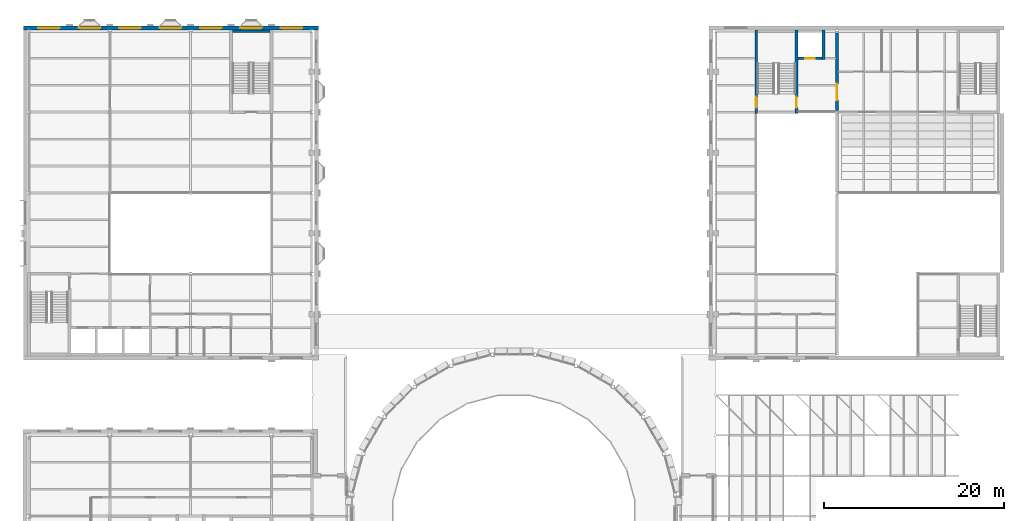
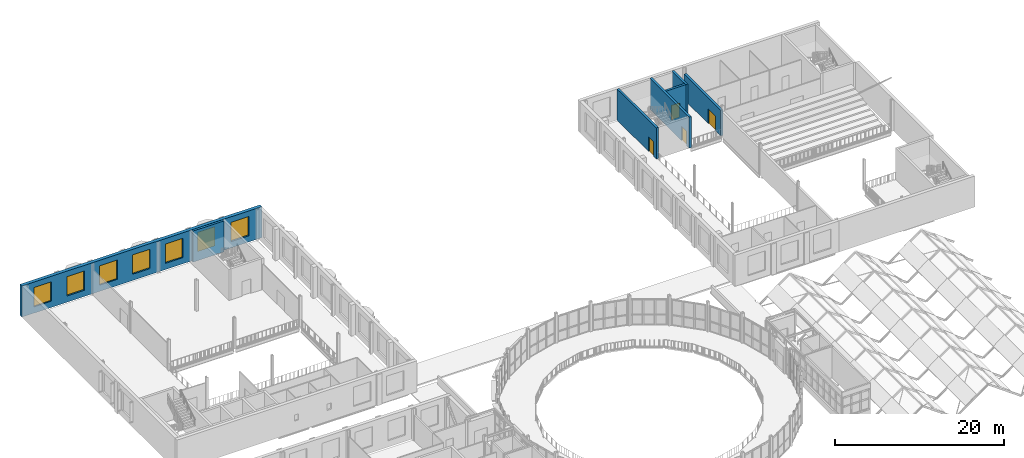
# One storey, part 46 of 74: 7 walls, 7 windows, 4 doors, 11 openings.
"""IFC4 building model written with IfcOpenShell, lengths in metres."""

import ifcopenshell
import ifcopenshell.guid

model = None  # the IFC model being written
_history = None  # IfcOwnerHistory: only IFC2X3 demands one
_inside = {}  # id of a spatial element -> (the spatial element, [elements in it])
_under = {}  # id of a project, library or spatial element -> (it, [spatial elements below it])
_declared = {}  # id of a project -> (the project, [libraries it declares])
_typed = {}  # id of a type object -> (the type object, [elements of that type])
_made_of = {}  # id of a material, layer set ... -> (it, [elements and type objects made of it])


def new_model(schema):
    """Start an empty IFC model of exactly this schema.

    Asked for "IFC4X3", IfcOpenShell would pick the latest addendum, in which some entities
    have other attributes; the version numbers below select the first issue.
    IFC2X3 requires an IfcOwnerHistory on every rooted entity: one is made here for all.
    """
    global model, _history
    if schema == "IFC4X3":
        model = ifcopenshell.file(schema_version=(4, 3, 0, 0))
    else:
        model = ifcopenshell.file(schema=schema)
    _inside.clear()
    _under.clear()
    _declared.clear()
    _typed.clear()
    _made_of.clear()
    _history = None
    if model.schema == "IFC2X3":
        org = make("IfcOrganization", Name="unknown")
        user = make(
            "IfcPersonAndOrganization",
            ThePerson=make("IfcPerson", FamilyName="unknown"),
            TheOrganization=org,
        )
        app = make(
            "IfcApplication",
            ApplicationDeveloper=org,
            Version="unknown",
            ApplicationFullName="unknown",
            ApplicationIdentifier="unknown",
        )
        _history = make(
            "IfcOwnerHistory",
            OwningUser=user,
            OwningApplication=app,
            ChangeAction="ADDED",
            CreationDate=0,
        )
    return model


def make(cls, **values):
    """One entity of the class cls with the attributes given. An attribute that is None is left unset."""
    return model.create_entity(
        cls, **{name: value for name, value in values.items() if value is not None}
    )


def rooted(cls, **values):
    """An entity with a GlobalId (a new one), such as an element, a storey or a relation."""
    return make(cls, GlobalId=ifcopenshell.guid.new(), OwnerHistory=_history, **values)


def si_unit(unit_type, name, prefix=None):
    """IfcSIUnit, for example si_unit("LENGTHUNIT", "METRE", prefix="MILLI")."""
    return make("IfcSIUnit", UnitType=unit_type, Prefix=prefix, Name=name)


def assignment(units):
    """IfcUnitAssignment: the units of a project."""
    return None if units is None else make("IfcUnitAssignment", Units=units)


def point(xyz):
    """IfcCartesianPoint."""
    return None if xyz is None else make("IfcCartesianPoint", Coordinates=xyz)


def direction(xyz):
    """IfcDirection."""
    return None if xyz is None else make("IfcDirection", DirectionRatios=xyz)


def frame(location, z_axis=None, x_axis=None):
    """IfcAxis2Placement3D, a coordinate frame: its origin and axes. An axis left out is left unset."""
    return make(
        "IfcAxis2Placement3D",
        Location=point(location),
        Axis=direction(z_axis),
        RefDirection=direction(x_axis),
    )


def frame_2d(location, x_axis=None):
    """IfcAxis2Placement2D, a coordinate frame in the plane: its origin and x axis."""
    return make(
        "IfcAxis2Placement2D", Location=point(location), RefDirection=direction(x_axis)
    )


def origin():
    """The frame at (0, 0, 0) with its axes left unset."""
    return frame((0.0, 0.0, 0.0))


def place(relative_to, where):
    """IfcLocalPlacement: puts the frame where relative to a parent placement (None: the world)."""
    return make(
        "IfcLocalPlacement", PlacementRelTo=relative_to, RelativePlacement=where
    )


def context(
    kind, dimensions, precision=None, world=None, true_north=None, identifier=None
):
    """IfcGeometricRepresentationContext, for example the 3D "Model" context."""
    return make(
        "IfcGeometricRepresentationContext",
        ContextIdentifier=identifier,
        ContextType=kind,
        CoordinateSpaceDimension=dimensions,
        Precision=precision,
        WorldCoordinateSystem=world,
        TrueNorth=true_north,
    )


def subcontext(parent, identifier, kind, view, scale=None):
    """IfcGeometricRepresentationSubContext, for example "Body" below "Model"."""
    return make(
        "IfcGeometricRepresentationSubContext",
        ContextIdentifier=identifier,
        ContextType=kind,
        ParentContext=parent,
        TargetScale=scale,
        TargetView=view,
    )


def project(units=None, contexts=None):
    """IfcProject with its units and contexts."""
    return rooted(
        "IfcProject",
        Name="project",
        RepresentationContexts=contexts,
        UnitsInContext=assignment(units),
    )


def spatial(cls, under=None, at=None, **own):
    """A site, building, storey or space (cls), placed at a placement, below another one or the project."""
    s = rooted(cls, ObjectPlacement=at, **own)
    if under is not None:
        _under.setdefault(under.id(), (under, []))[1].append(s)
    return s


def profile(cls, at=None, kind="AREA", **sizes):
    """A parametric profile (cls). Its sizes go by their IFC names, for example OverallWidth=200.0."""
    return make(cls, ProfileType=kind, Position=at, **sizes)


def rectangle(**sizes):
    """IfcRectangleProfileDef."""
    return profile("IfcRectangleProfileDef", **sizes)


def extrude(swept, where, along, depth):
    """IfcExtrudedAreaSolid: the profile swept, set in the frame where, extruded along a direction by depth."""
    return make(
        "IfcExtrudedAreaSolid",
        SweptArea=swept,
        Position=where,
        ExtrudedDirection=direction(along),
        Depth=depth,
    )


def shape(context_of_items, identifier, shape_type, items):
    """IfcShapeRepresentation: the items that make up one representation, for example the "Body"."""
    return make(
        "IfcShapeRepresentation",
        ContextOfItems=context_of_items,
        RepresentationIdentifier=identifier,
        RepresentationType=shape_type,
        Items=items,
    )


def material(Name=None, Category=None):
    """IfcMaterial."""
    return make("IfcMaterial", Name=Name, Category=Category)


def layer(
    of_material, thickness, ventilated=None, Name=None, Category=None, Priority=None
):
    """IfcMaterialLayer: one layer of a wall or slab, of a material (None: an air gap)."""
    return make(
        "IfcMaterialLayer",
        Material=of_material,
        LayerThickness=thickness,
        IsVentilated=ventilated,
        Name=Name,
        Category=Category,
        Priority=Priority,
    )


def layer_set(layers, Name=None):
    """IfcMaterialLayerSet."""
    return make("IfcMaterialLayerSet", MaterialLayers=layers, LayerSetName=Name)


def made_of(thing, what):
    """Note that an element or type object is made of a material, layer set ...; save() writes the relation."""
    if what is not None:
        _made_of.setdefault(what.id(), (what, []))[1].append(thing)
    return thing


def type_object(cls, material=None, **own):
    """A type object (cls), such as IfcWallType, which elements share."""
    return made_of(rooted(cls, **own), material)


def element(
    cls,
    number,
    at=None,
    inside=None,
    cuts=None,
    type_object=None,
    material=None,
    context=None,
    identifier="Body",
    shape_type=None,
    held_by="IfcProductDefinitionShape",
    body=None,
    shapes=None,
    **own,
):
    """One element of the class cls, such as IfcWall. Its Tag is "e" and its number.

    at: its placement. inside: the storey or other place that contains it. cuts: it is an
    opening in that element (IfcRelVoidsElement). A single representation is given by context,
    identifier, shape_type and body (its items); several are given by shapes. held_by: the class
    of the entity that holds the representations. save() writes the other relations.
    """
    e = rooted(cls, Tag="e%d" % number, ObjectPlacement=at, **own)
    if body is not None:
        shapes = [shape(context, identifier, shape_type, body)]
    if shapes is not None:
        e.Representation = make(held_by, Representations=shapes)
    if inside is not None:
        _inside.setdefault(inside.id(), (inside, []))[1].append(e)
    if cuts is not None:
        rooted(
            "IfcRelVoidsElement", RelatingBuildingElement=cuts, RelatedOpeningElement=e
        )
    if type_object is not None:
        _typed.setdefault(type_object.id(), (type_object, []))[1].append(e)
    return made_of(e, material)


def fill(opening, filler):
    """IfcRelFillsElement: the door or window that sits in an opening."""
    return rooted(
        "IfcRelFillsElement",
        RelatingOpeningElement=opening,
        RelatedBuildingElement=filler,
    )


def aggregate(whole, parts):
    """IfcRelAggregates: a whole, such as a stair, and the parts it consists of."""
    return rooted("IfcRelAggregates", RelatingObject=whole, RelatedObjects=parts)


def save(model, path):
    """Write the relations noted so far, then the file.

    IfcRelAggregates (storeys below a building ...), IfcRelContainedInSpatialStructure (elements
    in a storey), IfcRelDefinesByType, IfcRelAssociatesMaterial and IfcRelDeclares: one each for
    every whole, place, type object, material and project.
    """
    for whole, parts in _under.values():
        aggregate(whole, parts)
    for where, things in _inside.values():
        rooted(
            "IfcRelContainedInSpatialStructure",
            RelatedElements=things,
            RelatingStructure=where,
        )
    for kind, things in _typed.values():
        rooted("IfcRelDefinesByType", RelatedObjects=things, RelatingType=kind)
    for what, things in _made_of.values():
        rooted("IfcRelAssociatesMaterial", RelatedObjects=things, RelatingMaterial=what)
    for by, libraries in _declared.values():
        rooted("IfcRelDeclares", RelatingContext=by, RelatedDefinitions=libraries)
    model.write(path)


model = new_model("IFC4")

# Units and contexts
model_context = context("Model", 3, precision=1e-05, world=origin(), true_north=direction((0.0, 1.0)))
body_context = subcontext(model_context, "Body", "Model", "MODEL_VIEW")
ifc_project = project(units=[si_unit("LENGTHUNIT", "METRE"), si_unit("AREAUNIT", "SQUARE_METRE"), si_unit("VOLUMEUNIT", "CUBIC_METRE"), si_unit("PLANEANGLEUNIT", "RADIAN"), si_unit("MASSUNIT", "GRAM", prefix="KILO")], contexts=[model_context])

# Site, building, storey
site_placement = place(None, origin())
site = spatial("IfcSite", under=ifc_project, at=site_placement, CompositionType="ELEMENT")
building_placement = place(site_placement, origin())
building = spatial("IfcBuilding", under=site, at=building_placement, Name="Hortulan Conservatory and Botanical Research Centre", CompositionType="ELEMENT")
storey_placement = place(building_placement, frame((0.0, 0.0, 6.0)))
storey = spatial("IfcBuildingStorey", under=building, at=storey_placement, Name="L01", CompositionType="ELEMENT", Elevation=6.0)

# Wall, opening, door
ifc_material_1 = material(Name="Brick masonry with acoustic lining", Category="masonry")
ifc_layer_1 = layer(ifc_material_1, 0.300048828125)
ifc_layer_set_1 = layer_set([ifc_layer_1], Name="Acoustic Hall Wall 300")
wall_type_1 = type_object("IfcWallType", Name="Acoustic Hall Wall 300", PredefinedType="STANDARD", material=ifc_layer_set_1)
wall_1_placement = place(storey_placement, frame((90.0, 63.17041015625, 0.0), z_axis=(0.0, 0.0, 1.0), x_axis=(0.0, 1.0, 0.0)))
wall_1 = element("IfcWall", 1, at=wall_1_placement, inside=storey, type_object=wall_type_1, Name="Auditorium hall wall L01 122", PredefinedType="STANDARD", context=body_context, shape_type="SweptSolid", body=[
    extrude(rectangle(XDim=8.6591796875, YDim=0.300048828125, at=frame_2d((4.32958984375, 0.0))), origin(), (0.0, 0.0, 1.0), 3.718017578125),
])
opening_1_placement = place(wall_1_placement, frame((1.179443359375, 0.0, 0.0)))
opening_1 = element("IfcOpeningElement", 2, at=opening_1_placement, cuts=wall_1, Name="Opening DT8", PredefinedType="OPENING", context=body_context, shape_type="SweptSolid", body=[
    extrude(rectangle(XDim=1.800048828125, YDim=2.10009765625, at=frame_2d((0.89990234375, 1.050048828125))), frame((0.0, 0.159912109375, 0.0), z_axis=(0.0, -1.0, 0.0), x_axis=(1.0, 0.0, 0.0)), (0.0, 0.0, 1.0), 0.320068359375),
])
ifc_material_2 = material(Name="Steel door leaf, insulated", Category="steel")
door_type_1 = type_object("IfcDoorType", Name="Lobby Double Door 1800x2100 FRL -/60/30", OperationType="DOUBLE_DOOR_SINGLE_SWING", PredefinedType="DOOR", material=ifc_material_2)
door_1_placement = place(opening_1_placement, origin())
door_1 = element("IfcDoor", 3, at=door_1_placement, inside=storey, type_object=door_type_1, Name="Door DT8 Circle Rear Lobby to Foyer Gallery Lobby", OperationType="DOUBLE_DOOR_SINGLE_SWING", OverallHeight=2.10009765625, OverallWidth=1.800048828125, PredefinedType="DOOR", context=body_context, shape_type="SweptSolid", body=[
    extrude(rectangle(XDim=1.800048828125, YDim=2.10009765625, at=frame_2d((0.89990234375, 1.050048828125))), frame((0.0, 0.02490234375, 0.0), z_axis=(0.0, -1.0, 0.0), x_axis=(1.0, 0.0, 0.0)), (0.0, 0.0, 1.0), 0.050048828125),
])
fill(opening_1, door_1)

ifc_material_3 = material(Name="Concrete N40 (40 MPa, AS 3600)", Category="concrete")
ifc_layer_2 = layer(ifc_material_3, 0.300048828125)
ifc_layer_set_2 = layer_set([ifc_layer_2], Name="Core Wall 300 N40 FRL 120/120/120")
wall_type_2 = type_object("IfcWallType", Name="Core Wall 300 N40 FRL 120/120/120", PredefinedType="SHEAR", material=ifc_layer_set_2)
wall_2_placement = place(storey_placement, frame((81.0, 62.85009765625, 0.0), z_axis=(0.0, 0.0, 1.0), x_axis=(0.0, 1.0, 0.0)))
wall_2 = element("IfcWall", 4, at=wall_2_placement, inside=storey, type_object=wall_type_2, Name="Reinforced concrete shaft wall", PredefinedType="SHEAR", context=body_context, shape_type="SweptSolid", body=[
    extrude(rectangle(XDim=9.2998046875, YDim=0.300048828125, at=frame_2d((4.64990234375, 0.0))), origin(), (0.0, 0.0, 1.0), 4.5),
])
opening_2_placement = place(wall_2_placement, frame((0.64990234375, 0.0, 0.0)))
opening_2 = element("IfcOpeningElement", 5, at=opening_2_placement, cuts=wall_2, Name="Opening DT5", PredefinedType="OPENING", context=body_context, shape_type="SweptSolid", body=[
    extrude(rectangle(XDim=1.199951171875, YDim=2.10009765625, at=frame_2d((0.60009765625, 1.050048828125))), frame((0.0, 0.159912109375, 0.0), z_axis=(0.0, -1.0, 0.0), x_axis=(1.0, 0.0, 0.0)), (0.0, 0.0, 1.0), 0.320068359375),
])
door_type_2 = type_object("IfcDoorType", Name="Stair Door 1200x2100 FRL -/120/30", OperationType="NOTDEFINED", PredefinedType="DOOR", material=ifc_material_2)
door_2_placement = place(opening_2_placement, frame((1.199951171875, 0.0, 0.0), z_axis=(0.0, 0.0, 1.0), x_axis=(-1.0, 0.0, 0.0)))
door_2 = element("IfcDoor", 6, at=door_2_placement, inside=storey, type_object=door_type_2, Name="Stair door A1 L01 W to Back-of-House Corridor", OperationType="SINGLE_SWING_RIGHT", OverallHeight=2.10009765625, OverallWidth=1.199951171875, PredefinedType="DOOR", context=body_context, shape_type="SweptSolid", body=[
    extrude(rectangle(XDim=1.199951171875, YDim=2.10009765625, at=frame_2d((0.60009765625, 1.050048828125))), frame((0.0, 0.02490234375, 0.0), z_axis=(0.0, -1.0, 0.0), x_axis=(1.0, 0.0, 0.0)), (0.0, 0.0, 1.0), 0.050048828125),
])
fill(opening_2, door_2)

wall_3_placement = place(storey_placement, frame((85.5, 62.85009765625, 0.0), z_axis=(0.0, 0.0, 1.0), x_axis=(0.0, 1.0, 0.0)))
wall_3 = element("IfcWall", 7, at=wall_3_placement, inside=storey, type_object=wall_type_2, Name="Reinforced concrete shaft wall", PredefinedType="SHEAR", context=body_context, shape_type="SweptSolid", body=[
    extrude(rectangle(XDim=9.2998046875, YDim=0.300048828125, at=frame_2d((4.64990234375, 0.0))), origin(), (0.0, 0.0, 1.0), 4.5),
])
opening_3_placement = place(wall_3_placement, frame((0.64990234375, 0.0, 0.0)))
opening_3 = element("IfcOpeningElement", 8, at=opening_3_placement, cuts=wall_3, Name="Opening DT5", PredefinedType="OPENING", context=body_context, shape_type="SweptSolid", body=[
    extrude(rectangle(XDim=1.199951171875, YDim=2.10009765625, at=frame_2d((0.60009765625, 1.050048828125))), frame((0.0, 0.159912109375, 0.0), z_axis=(0.0, -1.0, 0.0), x_axis=(1.0, 0.0, 0.0)), (0.0, 0.0, 1.0), 0.320068359375),
])
door_3_placement = place(opening_3_placement, origin())
door_3 = element("IfcDoor", 9, at=door_3_placement, inside=storey, type_object=door_type_2, Name="Stair door A1 L01 E to Foyer Gallery Lobby", OperationType="SINGLE_SWING_LEFT", OverallHeight=2.10009765625, OverallWidth=1.199951171875, PredefinedType="DOOR", context=body_context, shape_type="SweptSolid", body=[
    extrude(rectangle(XDim=1.199951171875, YDim=2.10009765625, at=frame_2d((0.60009765625, 1.050048828125))), frame((0.0, 0.02490234375, 0.0), z_axis=(0.0, -1.0, 0.0), x_axis=(1.0, 0.0, 0.0)), (0.0, 0.0, 1.0), 0.050048828125),
])
fill(opening_3, door_3)

# Wall
wall_4_placement = place(storey_placement, frame((88.5, 68.85009765625, 0.0), z_axis=(0.0, 0.0, 1.0), x_axis=(0.0, 1.0, 0.0)))
element("IfcWall", 10, at=wall_4_placement, inside=storey, type_object=wall_type_2, Name="Reinforced concrete shaft wall", PredefinedType="SHEAR", context=body_context, shape_type="SweptSolid", body=[
    extrude(rectangle(XDim=3.2998046875, YDim=0.300048828125, at=frame_2d((1.64990234375, 0.0))), origin(), (0.0, 0.0, 1.0), 4.5),
])

# Wall, opening, door
wall_5_placement = place(storey_placement, frame((85.64990234375, 69.0, 0.0), z_axis=(0.0, 0.0, 1.0), x_axis=(1.0, 0.0, 0.0)))
wall_5 = element("IfcWall", 11, at=wall_5_placement, inside=storey, type_object=wall_type_2, Name="Reinforced concrete shaft wall", PredefinedType="SHEAR", context=body_context, shape_type="SweptSolid", body=[
    extrude(rectangle(XDim=2.7001953125, YDim=0.300048828125, at=frame_2d((1.35009765625, 0.0))), origin(), (0.0, 0.0, 1.0), 4.5),
])
opening_4_placement = place(wall_5_placement, frame((0.800048828125, 0.0, 0.0)))
opening_4 = element("IfcOpeningElement", 12, at=opening_4_placement, cuts=wall_5, Name="Opening LD1", PredefinedType="OPENING", context=body_context, shape_type="SweptSolid", body=[
    extrude(rectangle(XDim=1.10009765625, YDim=2.10009765625, at=frame_2d((0.550048828125, 1.050048828125))), frame((0.0, 0.159912109375, 0.0), z_axis=(0.0, -1.0, 0.0), x_axis=(1.0, 0.0, 0.0)), (0.0, 0.0, 1.0), 0.320068359375),
])
ifc_material_4 = material(Name="Stainless steel door leaves in steel frame", Category="steel")
door_type_3 = type_object("IfcDoorType", Name="Lift Landing Door 1100x2100", OperationType="DOUBLE_DOOR_SLIDING", PredefinedType="DOOR", material=ifc_material_4)
door_4_placement = place(opening_4_placement, origin())
door_4 = element("IfcDoor", 13, at=door_4_placement, inside=storey, type_object=door_type_3, Name="Lift LA1 landing door L01", OperationType="DOUBLE_DOOR_SLIDING", OverallHeight=2.10009765625, OverallWidth=1.10009765625, PredefinedType="DOOR", context=body_context, shape_type="SweptSolid", body=[
    extrude(rectangle(XDim=1.10009765625, YDim=2.10009765625, at=frame_2d((0.550048828125, 1.050048828125))), frame((0.0, 0.02490234375, 0.0), z_axis=(0.0, -1.0, 0.0), x_axis=(1.0, 0.0, 0.0)), (0.0, 0.0, 1.0), 0.050048828125),
])
fill(opening_4, door_4)

# Wall
ifc_layer_3 = layer(ifc_material_3, 0.300048828125)
ifc_layer_set_3 = layer_set([ifc_layer_3], Name="Core Wall 300 N40 FRL 180/120/120")
wall_type_3 = type_object("IfcWallType", Name="Core Wall 300 N40 FRL 180/120/120", PredefinedType="SHEAR", material=ifc_layer_set_3)
wall_6_placement = place(storey_placement, frame((22.64990234375, 72.0, 0.0), z_axis=(0.0, 0.0, 1.0), x_axis=(1.0, 0.0, 0.0)))
element("IfcWall", 14, at=wall_6_placement, inside=storey, type_object=wall_type_3, Name="Reinforced concrete shaft wall", PredefinedType="SHEAR", context=body_context, shape_type="SweptSolid", body=[
    extrude(rectangle(XDim=4.2001953125, YDim=0.300048828125, at=frame_2d((2.10009765625, 0.0))), origin(), (0.0, 0.0, 1.0), 4.5),
])

# Wall, openings, windows
ifc_material_5 = material(Name="Sandstone masonry (Hawkesbury yellow block)", Category="masonry")
ifc_layer_4 = layer(ifc_material_5, 0.449951171875)
ifc_layer_set_4 = layer_set([ifc_layer_4], Name="Sandstone Masonry Cavity Wall 450")
wall_type_4 = type_object("IfcWallType", Name="Sandstone Masonry Cavity Wall 450", PredefinedType="STANDARD", material=ifc_layer_set_4)
wall_7_placement = place(storey_placement, frame((-0.6044921875, 72.385498046875, 0.0), z_axis=(0.0, 0.0, 1.0), x_axis=(1.0, 0.0, 0.0)))
wall_7 = element("IfcWall", 15, at=wall_7_placement, inside=storey, type_object=wall_type_4, Name="E-EW-VC-L01-N3", PredefinedType="STANDARD", context=body_context, shape_type="SweptSolid", body=[
    extrude(rectangle(XDim=32.8544921875, YDim=0.449951171875, at=frame_2d((16.42724609375, 0.0))), origin(), (0.0, 0.0, 1.0), 4.5),
])
opening_5_placement = place(wall_7_placement, frame((1.654541015625, 0.0, 0.89990234375)))
opening_5 = element("IfcOpeningElement", 16, at=opening_5_placement, cuts=wall_7, Name="Opening W2", PredefinedType="OPENING", context=body_context, shape_type="SweptSolid", body=[
    extrude(rectangle(XDim=2.39990234375, YDim=2.800048828125, at=frame_2d((1.199951171875, 1.39990234375))), frame((0.0, 0.23486328125, 0.0), z_axis=(0.0, -1.0, 0.0), x_axis=(1.0, 0.0, 0.0)), (0.0, 0.0, 1.0), 0.469970703125),
])
opening_6_placement = place(wall_7_placement, frame((6.154541015625, 0.0, 0.89990234375)))
opening_6 = element("IfcOpeningElement", 17, at=opening_6_placement, cuts=wall_7, Name="Opening W2", PredefinedType="OPENING", context=body_context, shape_type="SweptSolid", body=[
    extrude(rectangle(XDim=2.39990234375, YDim=2.800048828125, at=frame_2d((1.199951171875, 1.39990234375))), frame((0.0, 0.23486328125, 0.0), z_axis=(0.0, -1.0, 0.0), x_axis=(1.0, 0.0, 0.0)), (0.0, 0.0, 1.0), 0.469970703125),
])
opening_7_placement = place(wall_7_placement, frame((10.654541015625, 0.0, 0.89990234375)))
opening_7 = element("IfcOpeningElement", 18, at=opening_7_placement, cuts=wall_7, Name="Opening W2", PredefinedType="OPENING", context=body_context, shape_type="SweptSolid", body=[
    extrude(rectangle(XDim=2.39990234375, YDim=2.800048828125, at=frame_2d((1.199951171875, 1.39990234375))), frame((0.0, 0.23486328125, 0.0), z_axis=(0.0, -1.0, 0.0), x_axis=(1.0, 0.0, 0.0)), (0.0, 0.0, 1.0), 0.469970703125),
])
opening_8_placement = place(wall_7_placement, frame((15.154541015625, 0.0, 0.89990234375)))
opening_8 = element("IfcOpeningElement", 19, at=opening_8_placement, cuts=wall_7, Name="Opening W2", PredefinedType="OPENING", context=body_context, shape_type="SweptSolid", body=[
    extrude(rectangle(XDim=2.39990234375, YDim=2.800048828125, at=frame_2d((1.199951171875, 1.39990234375))), frame((0.0, 0.23486328125, 0.0), z_axis=(0.0, -1.0, 0.0), x_axis=(1.0, 0.0, 0.0)), (0.0, 0.0, 1.0), 0.469970703125),
])
opening_9_placement = place(wall_7_placement, frame((19.654541015625, 0.0, 0.89990234375)))
opening_9 = element("IfcOpeningElement", 20, at=opening_9_placement, cuts=wall_7, Name="Opening W2", PredefinedType="OPENING", context=body_context, shape_type="SweptSolid", body=[
    extrude(rectangle(XDim=2.39990234375, YDim=2.800048828125, at=frame_2d((1.199951171875, 1.39990234375))), frame((0.0, 0.23486328125, 0.0), z_axis=(0.0, -1.0, 0.0), x_axis=(1.0, 0.0, 0.0)), (0.0, 0.0, 1.0), 0.469970703125),
])
opening_10_placement = place(wall_7_placement, frame((24.154541015625, 0.0, 0.89990234375)))
opening_10 = element("IfcOpeningElement", 21, at=opening_10_placement, cuts=wall_7, Name="Opening W2", PredefinedType="OPENING", context=body_context, shape_type="SweptSolid", body=[
    extrude(rectangle(XDim=2.39990234375, YDim=2.800048828125, at=frame_2d((1.199951171875, 1.39990234375))), frame((0.0, 0.23486328125, 0.0), z_axis=(0.0, -1.0, 0.0), x_axis=(1.0, 0.0, 0.0)), (0.0, 0.0, 1.0), 0.469970703125),
])
opening_11_placement = place(wall_7_placement, frame((28.654541015625, 0.0, 0.89990234375)))
opening_11 = element("IfcOpeningElement", 22, at=opening_11_placement, cuts=wall_7, Name="Opening W2", PredefinedType="OPENING", context=body_context, shape_type="SweptSolid", body=[
    extrude(rectangle(XDim=2.39990234375, YDim=2.800048828125, at=frame_2d((1.199951171875, 1.39990234375))), frame((0.0, 0.23486328125, 0.0), z_axis=(0.0, -1.0, 0.0), x_axis=(1.0, 0.0, 0.0)), (0.0, 0.0, 1.0), 0.469970703125),
])
ifc_material_6 = material(Name="Bronze-finished aluminium frame with low-e laminated double glazing", Category="aluminium")
window_type = type_object("IfcWindowType", Name="Sandstone Window 2400x2800", PartitioningType="SINGLE_PANEL", PredefinedType="WINDOW", material=ifc_material_6)
window_1_placement = place(opening_5_placement, origin())
window_1 = element("IfcWindow", 23, at=window_1_placement, inside=storey, type_object=window_type, Name="Sandstone window", OverallHeight=2.800048828125, OverallWidth=2.39990234375, PartitioningType="SINGLE_PANEL", PredefinedType="WINDOW", context=body_context, shape_type="SweptSolid", body=[
    extrude(rectangle(XDim=2.39990234375, YDim=2.800048828125, at=frame_2d((1.199951171875, 1.39990234375))), frame((0.0, 0.030029296875, 0.0), z_axis=(0.0, -1.0, 0.0), x_axis=(1.0, 0.0, 0.0)), (0.0, 0.0, 1.0), 0.06005859375),
])
fill(opening_5, window_1)
window_2_placement = place(opening_6_placement, origin())
window_2 = element("IfcWindow", 24, at=window_2_placement, inside=storey, type_object=window_type, Name="Sandstone window", OverallHeight=2.800048828125, OverallWidth=2.39990234375, PartitioningType="SINGLE_PANEL", PredefinedType="WINDOW", context=body_context, shape_type="SweptSolid", body=[
    extrude(rectangle(XDim=2.39990234375, YDim=2.800048828125, at=frame_2d((1.199951171875, 1.39990234375))), frame((0.0, 0.030029296875, 0.0), z_axis=(0.0, -1.0, 0.0), x_axis=(1.0, 0.0, 0.0)), (0.0, 0.0, 1.0), 0.06005859375),
])
fill(opening_6, window_2)
window_3_placement = place(opening_7_placement, origin())
window_3 = element("IfcWindow", 25, at=window_3_placement, inside=storey, type_object=window_type, Name="Sandstone window", OverallHeight=2.800048828125, OverallWidth=2.39990234375, PartitioningType="SINGLE_PANEL", PredefinedType="WINDOW", context=body_context, shape_type="SweptSolid", body=[
    extrude(rectangle(XDim=2.39990234375, YDim=2.800048828125, at=frame_2d((1.199951171875, 1.39990234375))), frame((0.0, 0.030029296875, 0.0), z_axis=(0.0, -1.0, 0.0), x_axis=(1.0, 0.0, 0.0)), (0.0, 0.0, 1.0), 0.06005859375),
])
fill(opening_7, window_3)
window_4_placement = place(opening_8_placement, origin())
window_4 = element("IfcWindow", 26, at=window_4_placement, inside=storey, type_object=window_type, Name="Sandstone window", OverallHeight=2.800048828125, OverallWidth=2.39990234375, PartitioningType="SINGLE_PANEL", PredefinedType="WINDOW", context=body_context, shape_type="SweptSolid", body=[
    extrude(rectangle(XDim=2.39990234375, YDim=2.800048828125, at=frame_2d((1.199951171875, 1.39990234375))), frame((0.0, 0.030029296875, 0.0), z_axis=(0.0, -1.0, 0.0), x_axis=(1.0, 0.0, 0.0)), (0.0, 0.0, 1.0), 0.06005859375),
])
fill(opening_8, window_4)
window_5_placement = place(opening_9_placement, origin())
window_5 = element("IfcWindow", 27, at=window_5_placement, inside=storey, type_object=window_type, Name="Sandstone window", OverallHeight=2.800048828125, OverallWidth=2.39990234375, PartitioningType="SINGLE_PANEL", PredefinedType="WINDOW", context=body_context, shape_type="SweptSolid", body=[
    extrude(rectangle(XDim=2.39990234375, YDim=2.800048828125, at=frame_2d((1.199951171875, 1.39990234375))), frame((0.0, 0.030029296875, 0.0), z_axis=(0.0, -1.0, 0.0), x_axis=(1.0, 0.0, 0.0)), (0.0, 0.0, 1.0), 0.06005859375),
])
fill(opening_9, window_5)
window_6_placement = place(opening_10_placement, origin())
window_6 = element("IfcWindow", 28, at=window_6_placement, inside=storey, type_object=window_type, Name="Sandstone window", OverallHeight=2.800048828125, OverallWidth=2.39990234375, PartitioningType="SINGLE_PANEL", PredefinedType="WINDOW", context=body_context, shape_type="SweptSolid", body=[
    extrude(rectangle(XDim=2.39990234375, YDim=2.800048828125, at=frame_2d((1.199951171875, 1.39990234375))), frame((0.0, 0.030029296875, 0.0), z_axis=(0.0, -1.0, 0.0), x_axis=(1.0, 0.0, 0.0)), (0.0, 0.0, 1.0), 0.06005859375),
])
fill(opening_10, window_6)
window_7_placement = place(opening_11_placement, origin())
window_7 = element("IfcWindow", 29, at=window_7_placement, inside=storey, type_object=window_type, Name="Sandstone window", OverallHeight=2.800048828125, OverallWidth=2.39990234375, PartitioningType="SINGLE_PANEL", PredefinedType="WINDOW", context=body_context, shape_type="SweptSolid", body=[
    extrude(rectangle(XDim=2.39990234375, YDim=2.800048828125, at=frame_2d((1.199951171875, 1.39990234375))), frame((0.0, 0.030029296875, 0.0), z_axis=(0.0, -1.0, 0.0), x_axis=(1.0, 0.0, 0.0)), (0.0, 0.0, 1.0), 0.06005859375),
])
fill(opening_11, window_7)

save(model, "model.ifc")
